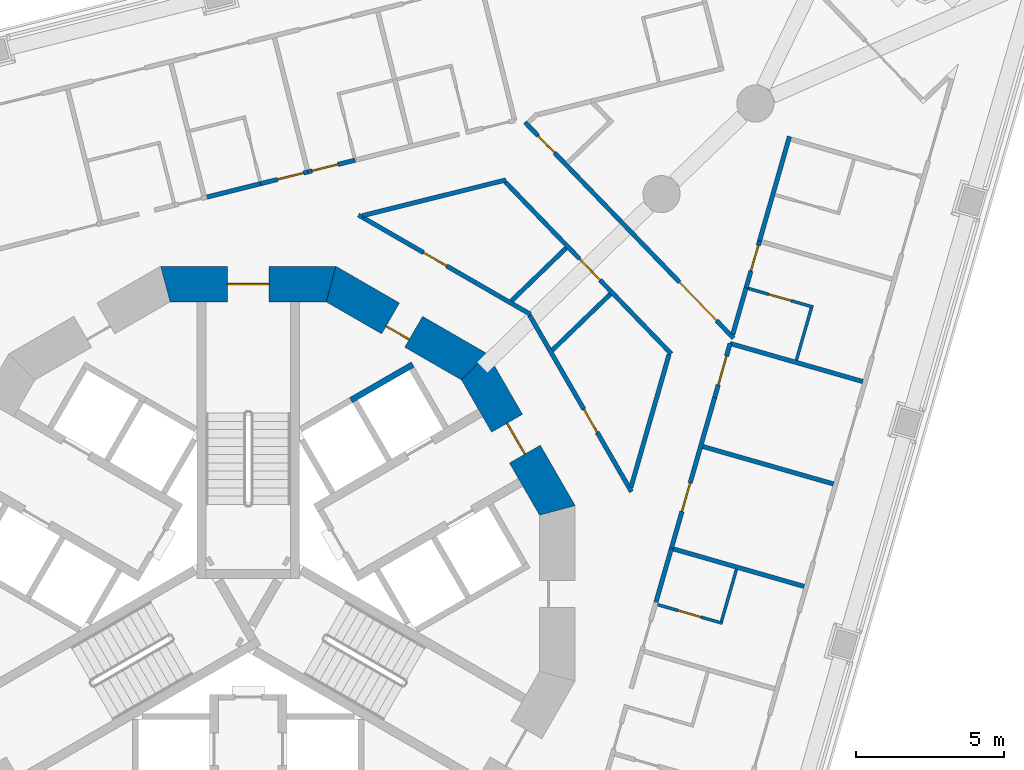
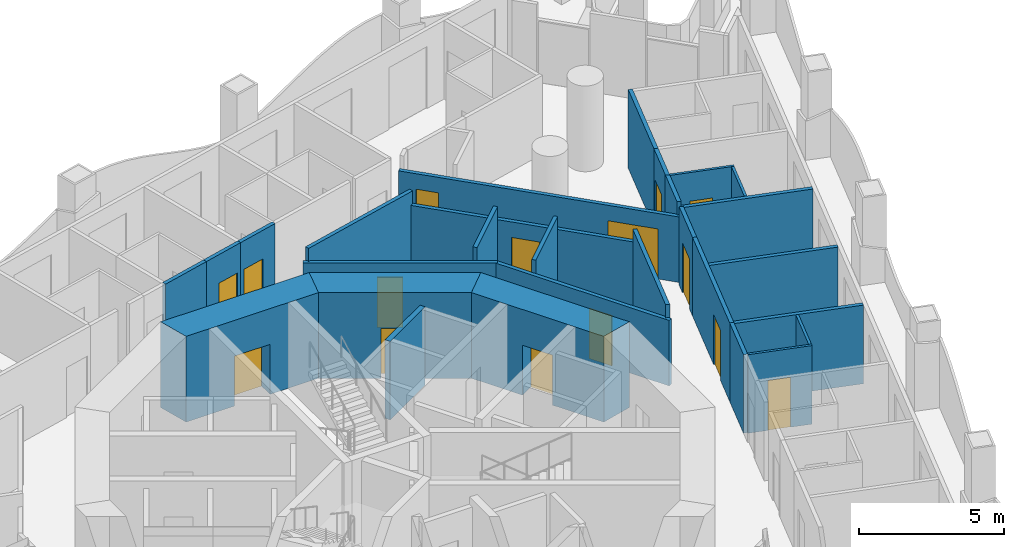
# One storey, part 9 of 19: 28 walls, 15 doors, 15 openings.
"""IFC4 building model written with IfcOpenShell, lengths in metres."""

from ifc_helpers import new_model, si_unit, direction, frame, frame_2d, origin, place, context, subcontext, project, spatial, polyline, rectangle, outline, extrude, material, layer, layer_set, type_object, element, fill, save


model = new_model("IFC4")

# Units and contexts
model_context = context("Model", 3, precision=1e-05, world=origin(), true_north=direction((0.0, 1.0)))
body_context = subcontext(model_context, "Body", "Model", "MODEL_VIEW")
ifc_project = project(units=[si_unit("LENGTHUNIT", "METRE"), si_unit("AREAUNIT", "SQUARE_METRE"), si_unit("VOLUMEUNIT", "CUBIC_METRE"), si_unit("PLANEANGLEUNIT", "RADIAN"), si_unit("MASSUNIT", "GRAM", prefix="KILO")], contexts=[model_context])

# Site, building, storey
site_placement = place(None, origin())
site = spatial("IfcSite", under=ifc_project, at=site_placement, CompositionType="ELEMENT")
building_placement = place(site_placement, origin())
building = spatial("IfcBuilding", under=site, at=building_placement, Name="Trine Commons Tower", CompositionType="ELEMENT")
storey_placement = place(building_placement, frame((0.0, 0.0, 105.300048828125)))
storey = spatial("IfcBuildingStorey", under=building, at=storey_placement, Name="L26", CompositionType="ELEMENT", Elevation=105.300048828125)

# Wall, opening, door
ifc_material_1 = material(Name="Concrete C70/85", Category="concrete")
ifc_layer_1 = layer(ifc_material_1, 1.199951171875)
ifc_layer_set_1 = layer_set([ifc_layer_1], Name="Concrete C70/85")
wall_type_1 = type_object("IfcWallType", Name="RC shear wall 1200 mm, C70/85", PredefinedType="SHEAR", material=ifc_layer_set_1)
wall_1_placement = place(storey_placement, frame((90.491943359375, 65.150390625, 0.0), z_axis=(0.0, 0.0, 1.0), x_axis=(-0.499979111662, 0.866037463336, 0.0)))
wall_1 = element("IfcWall", 1, at=wall_1_placement, inside=storey, type_object=wall_type_1, Name="Core wall CWC-02 L26", PredefinedType="SHEAR", context=body_context, shape_type="SweptSolid", body=[
    extrude(outline(polyline([(0.0, -0.60009765625), (5.901123046875, -0.60009765625), (5.57958984375, 0.60009765625), (0.321533203125, 0.60009765625), (0.0, -0.60009765625)])), origin(), (0.0, 0.0, 1.0), 3.599853515625),
])
opening_1_placement = place(wall_1_placement, frame((2.3505859375, 0.0, 0.0)))
opening_1 = element("IfcOpeningElement", 2, at=opening_1_placement, cuts=wall_1, Name="Opening K05.04", PredefinedType="OPENING", context=body_context, shape_type="SweptSolid", body=[
    extrude(rectangle(XDim=1.199951171875, YDim=2.10009765625, at=frame_2d((0.60009765625, 1.050048828125))), frame((0.0, 0.60986328125, 0.0), z_axis=(0.0, -1.0, 0.0), x_axis=(1.0, 0.0, 0.0)), (0.0, 0.0, 1.0), 1.219970703125),
])
ifc_material_2 = material(Name="Steel door leaves, fire-rated", Category="steel")
door_type_1 = type_object("IfcDoorType", Name="Lobby door, double leaf 1200 x 2100, FD60", OperationType="DOUBLE_DOOR_SINGLE_SWING", PredefinedType="DOOR", material=ifc_material_2)
door_1_placement = place(opening_1_placement, origin())
door_1 = element("IfcDoor", 3, at=door_1_placement, inside=storey, type_object=door_type_1, Name="Lobby door, Passenger lift lobby A L26", OperationType="DOUBLE_DOOR_SINGLE_SWING", OverallHeight=2.10009765625, OverallWidth=1.199951171875, PredefinedType="DOOR", context=body_context, shape_type="SweptSolid", body=[
    extrude(rectangle(XDim=1.199951171875, YDim=2.10009765625, at=frame_2d((0.60009765625, 1.050048828125))), frame((0.0, 0.02490234375, 0.0), z_axis=(0.0, -1.0, 0.0), x_axis=(1.0, 0.0, 0.0)), (0.0, 0.0, 1.0), 0.050048828125),
])
fill(opening_1, door_1)

wall_2_placement = place(storey_placement, frame((87.760986328125, 70.04150390625, 0.0), z_axis=(0.0, 0.0, 1.0), x_axis=(-0.866037463336, 0.499979111662, 0.0)))
wall_2 = element("IfcWall", 4, at=wall_2_placement, inside=storey, type_object=wall_type_1, Name="Core wall CWC-03 L26", PredefinedType="SHEAR", context=body_context, shape_type="SweptSolid", body=[
    extrude(outline(polyline([(0.0, -0.60009765625), (5.901123046875, -0.60009765625), (5.57958984375, 0.60009765625), (0.321533203125, 0.60009765625), (0.0, -0.60009765625)])), origin(), (0.0, 0.0, 1.0), 3.599853515625),
])
opening_2_placement = place(wall_2_placement, frame((2.526611328125, 0.0, 0.0)))
opening_2 = element("IfcOpeningElement", 5, at=opening_2_placement, cuts=wall_2, Name="Opening K05.11", PredefinedType="OPENING", context=body_context, shape_type="SweptSolid", body=[
    extrude(rectangle(XDim=0.89990234375, YDim=2.10009765625, at=frame_2d((0.449951171875, 1.050048828125))), frame((0.0, 0.60986328125, 0.0), z_axis=(0.0, -1.0, 0.0), x_axis=(1.0, 0.0, 0.0)), (0.0, 0.0, 1.0), 1.219970703125),
])
ifc_material_3 = material(Name="Steel door leaf, fire-rated", Category="steel")
door_type_2 = type_object("IfcDoorType", Name="Core room door, single leaf 900 x 2100, FD30S", OperationType="SINGLE_SWING_LEFT", PredefinedType="DOOR", material=ifc_material_3)
door_2_placement = place(opening_2_placement, origin())
door_2 = element("IfcDoor", 6, at=door_2_placement, inside=storey, type_object=door_type_2, Name="Door to Core WC L26", OperationType="SINGLE_SWING_RIGHT", OverallHeight=2.10009765625, OverallWidth=0.89990234375, PredefinedType="DOOR", context=body_context, shape_type="SweptSolid", body=[
    extrude(rectangle(XDim=0.89990234375, YDim=2.10009765625, at=frame_2d((0.449951171875, 1.050048828125))), frame((0.0, 0.3251953125, 0.0), z_axis=(0.0, -1.0, 0.0), x_axis=(1.0, 0.0, 0.0)), (0.0, 0.0, 1.0), 0.050048828125),
])
fill(opening_2, door_2)

wall_3_placement = place(storey_placement, frame((82.950439453125, 72.91162109375, 0.0), z_axis=(0.0, 0.0, 1.0), x_axis=(-1.0, 0.0, 0.0)))
wall_3 = element("IfcWall", 7, at=wall_3_placement, inside=storey, type_object=wall_type_1, Name="Core wall CWC-04 L26", PredefinedType="SHEAR", context=body_context, shape_type="SweptSolid", body=[
    extrude(outline(polyline([(0.0, -0.60009765625), (5.90087890625, -0.60009765625), (5.57958984375, 0.60009765625), (0.321533203125, 0.60009765625), (0.0, -0.60009765625)])), origin(), (0.0, 0.0, 1.0), 3.599853515625),
])
opening_3_placement = place(wall_3_placement, frame((2.25048828125, 0.0, 0.0)))
opening_3 = element("IfcOpeningElement", 8, at=opening_3_placement, cuts=wall_3, Name="Opening K05.01", PredefinedType="OPENING", context=body_context, shape_type="SweptSolid", body=[
    extrude(rectangle(XDim=1.39990234375, YDim=2.10009765625, at=frame_2d((0.699951171875, 1.050048828125))), frame((0.0, 0.60986328125, 0.0), z_axis=(0.0, -1.0, 0.0), x_axis=(1.0, 0.0, 0.0)), (0.0, 0.0, 1.0), 1.219970703125),
])
door_type_3 = type_object("IfcDoorType", Name="Stair door, double leaf 1400 x 2100, FD90", OperationType="DOUBLE_DOOR_SINGLE_SWING", PredefinedType="DOOR", material=ifc_material_2)
door_3_placement = place(opening_3_placement, origin())
door_3 = element("IfcDoor", 9, at=door_3_placement, inside=storey, type_object=door_type_3, Name="Stair door to Exit stair ST1A L26", OperationType="DOUBLE_DOOR_SINGLE_SWING", OverallHeight=2.10009765625, OverallWidth=1.39990234375, PredefinedType="DOOR", context=body_context, shape_type="SweptSolid", body=[
    extrude(rectangle(XDim=1.39990234375, YDim=2.10009765625, at=frame_2d((0.699951171875, 1.050048828125))), frame((0.0, 0.02490234375, 0.0), z_axis=(0.0, -1.0, 0.0), x_axis=(1.0, 0.0, 0.0)), (0.0, 0.0, 1.0), 0.050048828125),
])
fill(opening_3, door_3)

# Walls
ifc_material_4 = material(Name="Fire-rated gypsum shaft wall system")
ifc_layer_2 = layer(ifc_material_4, 0.199951171875)
ifc_layer_set_2 = layer_set([ifc_layer_2], Name="Fire-rated gypsum shaft wall system")
wall_type_2 = type_object("IfcWallType", Name="Shaft wall 200 mm, EI 120", PredefinedType="PARTITIONING", material=ifc_layer_set_2)
wall_4_placement = place(storey_placement, frame((83.4619140625, 69.001953125, 0.0), z_axis=(0.0, 0.0, 1.0), x_axis=(0.866202511239, 0.499693115345, 0.0)))
element("IfcWall", 10, at=wall_4_placement, inside=storey, type_object=wall_type_2, Name="Shaft wall L26", PredefinedType="PARTITIONING", context=body_context, shape_type="SweptSolid", body=[
    extrude(rectangle(XDim=2.4013671875, YDim=0.199951171875, at=frame_2d((1.20068359375, 0.0))), origin(), (0.0, 0.0, 1.0), 3.300048828125),
])
ifc_material_5 = material(Name="Gypsum plasterboard on steel stud", Category="steel")
ifc_layer_3 = layer(ifc_material_5, 0.14990234375)
ifc_layer_set_3 = layer_set([ifc_layer_3], Name="Gypsum plasterboard on steel stud")
wall_type_3 = type_object("IfcWallType", Name="Unit and corridor wall 150 mm, EI 60", PredefinedType="PARTITIONING", material=ifc_layer_set_3)
wall_5_placement = place(storey_placement, frame((78.52392578125, 75.820068359375, 0.0), z_axis=(0.0, 0.0, 1.0), x_axis=(0.970398654649, 0.241508697681, 0.0)))
element("IfcWall", 11, at=wall_5_placement, inside=storey, type_object=wall_type_3, Name="Partition 069", PredefinedType="PARTITIONING", context=body_context, shape_type="SweptSolid", body=[
    extrude(rectangle(XDim=1.9580078125, YDim=0.14990234375, at=frame_2d((0.97900390625, 0.0))), origin(), (0.0, 0.0, 1.0), 3.300048828125),
])

# Wall, opening, door
wall_6_placement = place(storey_placement, frame((80.416015625, 76.291015625, 0.0), z_axis=(0.0, 0.0, 1.0), x_axis=(0.970220928559, 0.242221695533, 0.0)))
wall_6 = element("IfcWall", 12, at=wall_6_placement, inside=storey, type_object=wall_type_3, Name="Partition 076", PredefinedType="PARTITIONING", context=body_context, shape_type="SweptSolid", body=[
    extrude(rectangle(XDim=1.64697265625, YDim=0.14990234375, at=frame_2d((0.823486328125, 0.0))), origin(), (0.0, 0.0, 1.0), 3.300048828125),
])
opening_4_placement = place(wall_6_placement, frame((0.593017578125, 0.0, 0.0)))
opening_4 = element("IfcOpeningElement", 13, at=opening_4_placement, cuts=wall_6, Name="Opening D-3B12", PredefinedType="OPENING", context=body_context, shape_type="SweptSolid", body=[
    extrude(rectangle(XDim=0.89990234375, YDim=2.10009765625, at=frame_2d((0.449951171875, 1.050048828125))), frame((0.0, 0.0849609375, 0.0), z_axis=(0.0, -1.0, 0.0), x_axis=(1.0, 0.0, 0.0)), (0.0, 0.0, 1.0), 0.169921875),
])
ifc_material_6 = material(Name="Timber fire door set", Category="wood")
door_type_4 = type_object("IfcDoorType", Name="Bedroom door 900 x 2100, FD30S", OperationType="NOTDEFINED", PredefinedType="DOOR", material=ifc_material_6)
door_4_placement = place(opening_4_placement, origin())
door_4 = element("IfcDoor", 14, at=door_4_placement, inside=storey, type_object=door_type_4, Name="Door D-3B12", OperationType="SINGLE_SWING_RIGHT", OverallHeight=2.10009765625, OverallWidth=0.89990234375, PredefinedType="DOOR", context=body_context, shape_type="SweptSolid", body=[
    extrude(rectangle(XDim=0.89990234375, YDim=2.10009765625, at=frame_2d((0.449951171875, 1.050048828125))), frame((0.0, 0.02490234375, 0.0), z_axis=(0.0, -1.0, 0.0), x_axis=(1.0, 0.0, 0.0)), (0.0, 0.0, 1.0), 0.050048828125),
])
fill(opening_4, door_4)

wall_7_placement = place(storey_placement, frame((82.006103515625, 76.68798828125, 0.0), z_axis=(0.0, 0.0, 1.0), x_axis=(0.970325473096, 0.241802556359, 0.0)))
wall_7 = element("IfcWall", 15, at=wall_7_placement, inside=storey, type_object=wall_type_3, Name="Partition 080", PredefinedType="PARTITIONING", context=body_context, shape_type="SweptSolid", body=[
    extrude(rectangle(XDim=1.645751953125, YDim=0.14990234375, at=frame_2d((0.82275390625, 0.0))), origin(), (0.0, 0.0, 1.0), 3.300048828125),
])
opening_5_placement = place(wall_7_placement, frame((0.154052734375, 0.0, 0.0)))
opening_5 = element("IfcOpeningElement", 16, at=opening_5_placement, cuts=wall_7, Name="Opening D-3B13", PredefinedType="OPENING", context=body_context, shape_type="SweptSolid", body=[
    extrude(rectangle(XDim=0.89990234375, YDim=2.10009765625, at=frame_2d((0.449951171875, 1.050048828125))), frame((0.0, 0.0849609375, 0.0), z_axis=(0.0, -1.0, 0.0), x_axis=(1.0, 0.0, 0.0)), (0.0, 0.0, 1.0), 0.169921875),
])
door_5_placement = place(opening_5_placement, origin())
door_5 = element("IfcDoor", 17, at=door_5_placement, inside=storey, type_object=door_type_4, Name="Door D-3B13", OperationType="SINGLE_SWING_LEFT", OverallHeight=2.10009765625, OverallWidth=0.89990234375, PredefinedType="DOOR", context=body_context, shape_type="SweptSolid", body=[
    extrude(rectangle(XDim=0.89990234375, YDim=2.10009765625, at=frame_2d((0.449951171875, 1.050048828125))), frame((0.0, 0.02490234375, 0.0), z_axis=(0.0, -1.0, 0.0), x_axis=(1.0, 0.0, 0.0)), (0.0, 0.0, 1.0), 0.050048828125),
])
fill(opening_5, door_5)

wall_8_placement = place(storey_placement, frame((83.7119140625, 75.237548828125, 0.0), z_axis=(0.0, 0.0, 1.0), x_axis=(0.866033484359, -0.499986003774, 0.0)))
wall_8 = element("IfcWall", 18, at=wall_8_placement, inside=storey, type_object=wall_type_3, Name="Partition 085", PredefinedType="PARTITIONING", context=body_context, shape_type="SweptSolid", body=[
    extrude(rectangle(XDim=6.682373046875, YDim=0.14990234375, at=frame_2d((3.34130859375, 0.0))), origin(), (0.0, 0.0, 1.0), 2.75),
])
opening_6_placement = place(wall_8_placement, frame((2.53271484375, 0.0, 0.0)))
opening_6 = element("IfcOpeningElement", 19, at=opening_6_placement, cuts=wall_8, Name="Opening D-3B38", PredefinedType="OPENING", context=body_context, shape_type="SweptSolid", body=[
    extrude(rectangle(XDim=0.89990234375, YDim=2.10009765625, at=frame_2d((0.449951171875, 1.050048828125))), frame((0.0, 0.0849609375, 0.0), z_axis=(0.0, -1.0, 0.0), x_axis=(1.0, 0.0, 0.0)), (0.0, 0.0, 1.0), 0.169921875),
])
door_type_5 = type_object("IfcDoorType", Name="Service door 900 x 2100, FD30S", OperationType="NOTDEFINED", PredefinedType="DOOR", material=ifc_material_6)
door_6_placement = place(opening_6_placement, origin())
door_6 = element("IfcDoor", 20, at=door_6_placement, inside=storey, type_object=door_type_5, Name="Door D-3B38", OperationType="SINGLE_SWING_LEFT", OverallHeight=2.10009765625, OverallWidth=0.89990234375, PredefinedType="DOOR", context=body_context, shape_type="SweptSolid", body=[
    extrude(rectangle(XDim=0.89990234375, YDim=2.10009765625, at=frame_2d((0.449951171875, 1.050048828125))), frame((0.0, 0.02490234375, 0.0), z_axis=(0.0, -1.0, 0.0), x_axis=(1.0, 0.0, 0.0)), (0.0, 0.0, 1.0), 0.050048828125),
])
fill(opening_6, door_6)

# Wall
wall_9_placement = place(storey_placement, frame((83.852783203125, 75.216064453125, 0.0), z_axis=(0.0, 0.0, 1.0), x_axis=(0.970312588938, 0.241854253112, 0.0)))
element("IfcWall", 21, at=wall_9_placement, inside=storey, type_object=wall_type_3, Name="Partition 086", PredefinedType="PARTITIONING", context=body_context, shape_type="SweptSolid", body=[
    extrude(rectangle(XDim=4.974609375, YDim=0.14990234375, at=frame_2d((2.4873046875, 0.0))), origin(), (0.0, 0.0, 1.0), 3.300048828125),
])

# Wall, opening, door
wall_10_placement = place(storey_placement, frame((88.6591796875, 76.34716796875, 0.0), z_axis=(0.0, 0.0, 1.0), x_axis=(0.694672534157, -0.719326122345, 0.0)))
wall_10 = element("IfcWall", 22, at=wall_10_placement, inside=storey, type_object=wall_type_3, Name="Partition 101", PredefinedType="PARTITIONING", context=body_context, shape_type="SweptSolid", body=[
    extrude(rectangle(XDim=8.041015625, YDim=0.14990234375, at=frame_2d((4.0205078125, 0.0))), origin(), (0.0, 0.0, 1.0), 2.75),
])
opening_7_placement = place(wall_10_placement, frame((3.595458984375, 0.0, 0.0)))
opening_7 = element("IfcOpeningElement", 23, at=opening_7_placement, cuts=wall_10, Name="Opening D-3B42", PredefinedType="OPENING", context=body_context, shape_type="SweptSolid", body=[
    extrude(rectangle(XDim=1.0, YDim=2.10009765625, at=frame_2d((0.5, 1.050048828125))), frame((0.0, 0.0849609375, 0.0), z_axis=(0.0, -1.0, 0.0), x_axis=(1.0, 0.0, 0.0)), (0.0, 0.0, 1.0), 0.169921875),
])
ifc_material_7 = material(Name="Painted timber", Category="wood")
door_type_6 = type_object("IfcDoorType", Name="Toilet door 1000 x 2100, NOT RATED", OperationType="NOTDEFINED", PredefinedType="DOOR", material=ifc_material_7)
door_7_placement = place(opening_7_placement, frame((1.0, 0.0, 0.0), z_axis=(0.0, 0.0, 1.0), x_axis=(-1.0, 0.0, 0.0)))
door_7 = element("IfcDoor", 24, at=door_7_placement, inside=storey, type_object=door_type_6, Name="Door D-3B42", OperationType="SINGLE_SWING_LEFT", OverallHeight=2.10009765625, OverallWidth=1.0, PredefinedType="DOOR", context=body_context, shape_type="SweptSolid", body=[
    extrude(rectangle(XDim=1.0, YDim=2.10009765625, at=frame_2d((0.5, 1.050048828125))), frame((0.0, 0.02490234375, 0.0), z_axis=(0.0, -1.0, 0.0), x_axis=(1.0, 0.0, 0.0)), (0.0, 0.0, 1.0), 0.050048828125),
])
fill(opening_7, door_7)

# Wall
wall_11_placement = place(storey_placement, frame((88.864013671875, 72.34619140625, 0.0), z_axis=(0.0, 0.0, 1.0), x_axis=(0.719366900494, 0.694630306332, 0.0)))
element("IfcWall", 25, at=wall_11_placement, inside=storey, type_object=wall_type_3, Name="Partition 103", PredefinedType="PARTITIONING", context=body_context, shape_type="SweptSolid", body=[
    extrude(rectangle(XDim=2.55615234375, YDim=0.14990234375, at=frame_2d((1.278076171875, 0.0))), origin(), (0.0, 0.0, 1.0), 3.300048828125),
])

# Wall, openings, doors
wall_12_placement = place(storey_placement, frame((89.322998046875, 78.35791015625, 0.0), z_axis=(0.0, 0.0, 1.0), x_axis=(0.694707851552, -0.719292013713, 0.0)))
wall_12 = element("IfcWall", 26, at=wall_12_placement, inside=storey, type_object=wall_type_3, Name="Partition 107", PredefinedType="PARTITIONING", context=body_context, shape_type="SweptSolid", body=[
    extrude(rectangle(XDim=10.109619140625, YDim=0.14990234375, at=frame_2d((5.0546875, 0.0))), origin(), (0.0, 0.0, 1.0), 2.75),
])
opening_8_placement = place(wall_12_placement, frame((7.484130859375, 0.0, 0.0)))
opening_8 = element("IfcOpeningElement", 27, at=opening_8_placement, cuts=wall_12, Name="Opening D-3B01", PredefinedType="OPENING", context=body_context, shape_type="SweptSolid", body=[
    extrude(rectangle(XDim=1.800048828125, YDim=2.10009765625, at=frame_2d((0.89990234375, 1.050048828125))), frame((0.0, 0.0849609375, 0.0), z_axis=(0.0, -1.0, 0.0), x_axis=(1.0, 0.0, 0.0)), (0.0, 0.0, 1.0), 0.169921875),
])
opening_9_placement = place(wall_12_placement, frame((0.628662109375, 0.0, 0.0)))
opening_9 = element("IfcOpeningElement", 28, at=opening_9_placement, cuts=wall_12, Name="Opening D-3B04", PredefinedType="OPENING", context=body_context, shape_type="SweptSolid", body=[
    extrude(rectangle(XDim=0.800048828125, YDim=2.10009765625, at=frame_2d((0.39990234375, 1.050048828125))), frame((0.0, 0.0849609375, 0.0), z_axis=(0.0, -1.0, 0.0), x_axis=(1.0, 0.0, 0.0)), (0.0, 0.0, 1.0), 0.169921875),
])
door_type_7 = type_object("IfcDoorType", Name="Cluster entrance door 1800 x 2100, double leaf, FD30S", OperationType="DOUBLE_DOOR_DOUBLE_SWING", PredefinedType="DOOR", material=ifc_material_6)
door_8_placement = place(opening_8_placement, origin())
door_8 = element("IfcDoor", 29, at=door_8_placement, inside=storey, type_object=door_type_7, Name="Door D-3B01", OperationType="DOUBLE_DOOR_DOUBLE_SWING", OverallHeight=2.10009765625, OverallWidth=1.800048828125, PredefinedType="DOOR", context=body_context, shape_type="SweptSolid", body=[
    extrude(rectangle(XDim=1.800048828125, YDim=2.10009765625, at=frame_2d((0.89990234375, 1.050048828125))), frame((0.0, 0.02490234375, 0.0), z_axis=(0.0, -1.0, 0.0), x_axis=(1.0, 0.0, 0.0)), (0.0, 0.0, 1.0), 0.050048828125),
])
fill(opening_8, door_8)
door_type_8 = type_object("IfcDoorType", Name="Toilet door 800 x 2100, NOT RATED", OperationType="NOTDEFINED", PredefinedType="DOOR", material=ifc_material_7)
door_9_placement = place(opening_9_placement, origin())
door_9 = element("IfcDoor", 30, at=door_9_placement, inside=storey, type_object=door_type_8, Name="Door D-3B04", OperationType="SINGLE_SWING_LEFT", OverallHeight=2.10009765625, OverallWidth=0.800048828125, PredefinedType="DOOR", context=body_context, shape_type="SweptSolid", body=[
    extrude(rectangle(XDim=0.800048828125, YDim=2.10009765625, at=frame_2d((0.39990234375, 1.050048828125))), frame((0.0, 0.02490234375, 0.0), z_axis=(0.0, -1.0, 0.0), x_axis=(1.0, 0.0, 0.0)), (0.0, 0.0, 1.0), 0.050048828125),
])
fill(opening_9, door_9)

# Wall, opening, door
wall_13_placement = place(storey_placement, frame((89.471435546875, 71.868896484375, 0.0), z_axis=(0.0, 0.0, 1.0), x_axis=(0.500000410344, -0.866025166872, 0.0)))
wall_13 = element("IfcWall", 31, at=wall_13_placement, inside=storey, type_object=wall_type_3, Name="Partition 109", PredefinedType="PARTITIONING", context=body_context, shape_type="SweptSolid", body=[
    extrude(rectangle(XDim=6.8681640625, YDim=0.14990234375, at=frame_2d((3.43408203125, 0.0))), origin(), (0.0, 0.0, 1.0), 2.75),
])
opening_10_placement = place(wall_13_placement, frame((3.65869140625, 0.0, 0.0)))
opening_10 = element("IfcOpeningElement", 32, at=opening_10_placement, cuts=wall_13, Name="Opening D-3B39", PredefinedType="OPENING", context=body_context, shape_type="SweptSolid", body=[
    extrude(rectangle(XDim=0.89990234375, YDim=2.10009765625, at=frame_2d((0.449951171875, 1.050048828125))), frame((0.0, 0.0849609375, 0.0), z_axis=(0.0, -1.0, 0.0), x_axis=(1.0, 0.0, 0.0)), (0.0, 0.0, 1.0), 0.169921875),
])
door_10_placement = place(opening_10_placement, origin())
door_10 = element("IfcDoor", 33, at=door_10_placement, inside=storey, type_object=door_type_5, Name="Door D-3B39", OperationType="SINGLE_SWING_RIGHT", OverallHeight=2.10009765625, OverallWidth=0.89990234375, PredefinedType="DOOR", context=body_context, shape_type="SweptSolid", body=[
    extrude(rectangle(XDim=0.89990234375, YDim=2.10009765625, at=frame_2d((0.449951171875, 1.050048828125))), frame((0.0, 0.02490234375, 0.0), z_axis=(0.0, -1.0, 0.0), x_axis=(1.0, 0.0, 0.0)), (0.0, 0.0, 1.0), 0.050048828125),
])
fill(opening_10, door_10)

# Walls
wall_14_placement = place(storey_placement, frame((90.239013671875, 70.68408203125, 0.0), z_axis=(0.0, 0.0, 1.0), x_axis=(0.719152656364, 0.694852111492, 0.0)))
element("IfcWall", 34, at=wall_14_placement, inside=storey, type_object=wall_type_3, Name="Partition 112", PredefinedType="PARTITIONING", context=body_context, shape_type="SweptSolid", body=[
    extrude(rectangle(XDim=2.72265625, YDim=0.14990234375, at=frame_2d((1.361328125, 0.0))), origin(), (0.0, 0.0, 1.0), 3.300048828125),
])
wall_15_placement = place(storey_placement, frame((92.88671875, 66.06103515625, 0.0), z_axis=(0.0, 0.0, 1.0), x_axis=(0.275619666794, 0.961266768008, 0.0)))
element("IfcWall", 35, at=wall_15_placement, inside=storey, type_object=wall_type_3, Name="Partition 126", PredefinedType="PARTITIONING", context=body_context, shape_type="SweptSolid", body=[
    extrude(rectangle(XDim=4.66455078125, YDim=0.14990234375, at=frame_2d((2.332275390625, 0.0))), origin(), (0.0, 0.0, 1.0), 3.300048828125),
])
wall_16_placement = place(storey_placement, frame((93.7119140625, 62.134033203125, 0.0), z_axis=(0.0, 0.0, 1.0), x_axis=(0.275675684966, 0.961250704405, 0.0)))
element("IfcWall", 36, at=wall_16_placement, inside=storey, type_object=wall_type_3, Name="Partition 132", PredefinedType="PARTITIONING", context=body_context, shape_type="SweptSolid", body=[
    extrude(rectangle(XDim=1.958984375, YDim=0.14990234375, at=frame_2d((0.9794921875, 0.0))), origin(), (0.0, 0.0, 1.0), 3.300048828125),
])

# Wall, opening, door
wall_17_placement = place(storey_placement, frame((94.228271484375, 63.93701171875, 0.0), z_axis=(0.0, 0.0, 1.0), x_axis=(0.275737098009, 0.961233089725, 0.0)))
wall_17 = element("IfcWall", 37, at=wall_17_placement, inside=storey, type_object=wall_type_3, Name="Partition 135", PredefinedType="PARTITIONING", context=body_context, shape_type="SweptSolid", body=[
    extrude(rectangle(XDim=5.363037109375, YDim=0.14990234375, at=frame_2d((2.681640625, 0.0))), origin(), (0.0, 0.0, 1.0), 3.300048828125),
])
opening_11_placement = place(wall_17_placement, frame((1.373046875, 0.0, 0.0)))
opening_11 = element("IfcOpeningElement", 38, at=opening_11_placement, cuts=wall_17, Name="Opening D-3B19", PredefinedType="OPENING", context=body_context, shape_type="SweptSolid", body=[
    extrude(rectangle(XDim=1.0, YDim=2.10009765625, at=frame_2d((0.5, 1.050048828125))), frame((0.0, 0.0849609375, 0.0), z_axis=(0.0, -1.0, 0.0), x_axis=(1.0, 0.0, 0.0)), (0.0, 0.0, 1.0), 0.169921875),
])
door_type_9 = type_object("IfcDoorType", Name="Amenity room door 1000 x 2100, NOT RATED", OperationType="NOTDEFINED", PredefinedType="DOOR", material=ifc_material_7)
door_11_placement = place(opening_11_placement, frame((1.0, 0.0, 0.0), z_axis=(0.0, 0.0, 1.0), x_axis=(-1.0, 0.0, 0.0)))
door_11 = element("IfcDoor", 39, at=door_11_placement, inside=storey, type_object=door_type_9, Name="Door D-3B19", OperationType="SINGLE_SWING_RIGHT", OverallHeight=2.10009765625, OverallWidth=1.0, PredefinedType="DOOR", context=body_context, shape_type="SweptSolid", body=[
    extrude(rectangle(XDim=1.0, YDim=2.10009765625, at=frame_2d((0.5, 1.050048828125))), frame((0.0, 0.02490234375, 0.0), z_axis=(0.0, -1.0, 0.0), x_axis=(1.0, 0.0, 0.0)), (0.0, 0.0, 1.0), 0.050048828125),
])
fill(opening_11, door_11)

# Walls
wall_18_placement = place(storey_placement, frame((94.322021484375, 63.9921875, 0.0), z_axis=(0.0, 0.0, 1.0), x_axis=(0.961269673231, -0.275609534171, 0.0)))
element("IfcWall", 40, at=wall_18_placement, inside=storey, type_object=wall_type_3, Name="Partition 136", PredefinedType="PARTITIONING", context=body_context, shape_type="SweptSolid", body=[
    extrude(rectangle(XDim=4.572509765625, YDim=0.14990234375, at=frame_2d((2.2861328125, 0.0))), origin(), (0.0, 0.0, 1.0), 3.300048828125),
])
wall_19_placement = place(storey_placement, frame((95.31103515625, 67.44140625, 0.0), z_axis=(0.0, 0.0, 1.0), x_axis=(0.961255526758, -0.275658869398, 0.0)))
element("IfcWall", 41, at=wall_19_placement, inside=storey, type_object=wall_type_3, Name="Partition 139", PredefinedType="PARTITIONING", context=body_context, shape_type="SweptSolid", body=[
    extrude(rectangle(XDim=4.57275390625, YDim=0.14990234375, at=frame_2d((2.286376953125, 0.0))), origin(), (0.0, 0.0, 1.0), 3.300048828125),
])

# Wall, opening, door
wall_20_placement = place(storey_placement, frame((95.70703125, 69.092041015625, 0.0), z_axis=(0.0, 0.0, 1.0), x_axis=(0.275265230362, 0.961368323253, 0.0)))
wall_20 = element("IfcWall", 42, at=wall_20_placement, inside=storey, type_object=wall_type_3, Name="Partition 142", PredefinedType="PARTITIONING", context=body_context, shape_type="SweptSolid", body=[
    extrude(rectangle(XDim=1.896240234375, YDim=0.14990234375, at=frame_2d((0.9482421875, 0.0))), origin(), (0.0, 0.0, 1.0), 3.300048828125),
])
opening_12_placement = place(wall_20_placement, frame((0.446044921875, 0.0, 0.0)))
opening_12 = element("IfcOpeningElement", 43, at=opening_12_placement, cuts=wall_20, Name="Opening D-3B18", PredefinedType="OPENING", context=body_context, shape_type="SweptSolid", body=[
    extrude(rectangle(XDim=1.0, YDim=2.10009765625, at=frame_2d((0.5, 1.050048828125))), frame((0.0, 0.0849609375, 0.0), z_axis=(0.0, -1.0, 0.0), x_axis=(1.0, 0.0, 0.0)), (0.0, 0.0, 1.0), 0.169921875),
])
door_12_placement = place(opening_12_placement, frame((1.0, 0.0, 0.0), z_axis=(0.0, 0.0, 1.0), x_axis=(-1.0, 0.0, 0.0)))
door_12 = element("IfcDoor", 44, at=door_12_placement, inside=storey, type_object=door_type_9, Name="Door D-3B18", OperationType="SINGLE_SWING_RIGHT", OverallHeight=2.10009765625, OverallWidth=1.0, PredefinedType="DOOR", context=body_context, shape_type="SweptSolid", body=[
    extrude(rectangle(XDim=1.0, YDim=2.10009765625, at=frame_2d((0.5, 1.050048828125))), frame((0.0, 0.02490234375, 0.0), z_axis=(0.0, -1.0, 0.0), x_axis=(1.0, 0.0, 0.0)), (0.0, 0.0, 1.0), 0.050048828125),
])
fill(opening_12, door_12)

# Walls
wall_21_placement = place(storey_placement, frame((96.22802734375, 70.910888671875, 0.0), z_axis=(0.0, 0.0, 1.0), x_axis=(0.961263836782, -0.275629889699, 0.0)))
element("IfcWall", 45, at=wall_21_placement, inside=storey, type_object=wall_type_3, Name="Partition 144", PredefinedType="PARTITIONING", context=body_context, shape_type="SweptSolid", body=[
    extrude(rectangle(XDim=4.6474609375, YDim=0.14990234375, at=frame_2d((2.32373046875, 0.0))), origin(), (0.0, 0.0, 1.0), 3.300048828125),
])
wall_22_placement = place(storey_placement, frame((96.314697265625, 71.212158203125, 0.0), z_axis=(0.0, 0.0, 1.0), x_axis=(0.275540757527, 0.9612893898, 0.0)))
element("IfcWall", 46, at=wall_22_placement, inside=storey, type_object=wall_type_3, Name="Partition 145", PredefinedType="PARTITIONING", context=body_context, shape_type="SweptSolid", body=[
    extrude(rectangle(XDim=1.69140625, YDim=0.14990234375, at=frame_2d((0.845703125, 0.0))), origin(), (0.0, 0.0, 1.0), 3.300048828125),
])

# Wall, opening, door
wall_23_placement = place(storey_placement, frame((96.764892578125, 72.781982421875, 0.0), z_axis=(0.0, 0.0, 1.0), x_axis=(0.275428171862, 0.961321653842, 0.0)))
wall_23 = element("IfcWall", 47, at=wall_23_placement, inside=storey, type_object=wall_type_3, Name="Partition 146", PredefinedType="PARTITIONING", context=body_context, shape_type="SweptSolid", body=[
    extrude(rectangle(XDim=1.6416015625, YDim=0.14990234375, at=frame_2d((0.82080078125, 0.0))), origin(), (0.0, 0.0, 1.0), 3.300048828125),
])
opening_13_placement = place(wall_23_placement, frame((0.591552734375, 0.0, 0.0)))
opening_13 = element("IfcOpeningElement", 48, at=opening_13_placement, cuts=wall_23, Name="Opening D-3B17", PredefinedType="OPENING", context=body_context, shape_type="SweptSolid", body=[
    extrude(rectangle(XDim=0.89990234375, YDim=2.10009765625, at=frame_2d((0.449951171875, 1.050048828125))), frame((0.0, 0.0849609375, 0.0), z_axis=(0.0, -1.0, 0.0), x_axis=(1.0, 0.0, 0.0)), (0.0, 0.0, 1.0), 0.169921875),
])
door_13_placement = place(opening_13_placement, frame((0.89990234375, 0.0, 0.0), z_axis=(0.0, 0.0, 1.0), x_axis=(-1.0, 0.0, 0.0)))
door_13 = element("IfcDoor", 49, at=door_13_placement, inside=storey, type_object=door_type_4, Name="Door D-3B17", OperationType="SINGLE_SWING_LEFT", OverallHeight=2.10009765625, OverallWidth=0.89990234375, PredefinedType="DOOR", context=body_context, shape_type="SweptSolid", body=[
    extrude(rectangle(XDim=0.89990234375, YDim=2.10009765625, at=frame_2d((0.449951171875, 1.050048828125))), frame((0.0, 0.02490234375, 0.0), z_axis=(0.0, -1.0, 0.0), x_axis=(1.0, 0.0, 0.0)), (0.0, 0.0, 1.0), 0.050048828125),
])
fill(opening_13, door_13)

# Wall
wall_24_placement = place(storey_placement, frame((97.217041015625, 74.360107421875, 0.0), z_axis=(0.0, 0.0, 1.0), x_axis=(0.275601093683, 0.961272093198, 0.0)))
element("IfcWall", 50, at=wall_24_placement, inside=storey, type_object=wall_type_3, Name="Partition 148", PredefinedType="PARTITIONING", context=body_context, shape_type="SweptSolid", body=[
    extrude(rectangle(XDim=3.663818359375, YDim=0.14990234375, at=frame_2d((1.83203125, 0.0))), origin(), (0.0, 0.0, 1.0), 3.300048828125),
])

# Wall, opening, door
ifc_layer_4 = layer(ifc_material_5, 0.10009765625)
ifc_layer_set_4 = layer_set([ifc_layer_4], Name="Gypsum plasterboard on steel stud")
wall_type_4 = type_object("IfcWallType", Name="Unit partition 100 mm, no rating", PredefinedType="PARTITIONING", material=ifc_layer_set_4)
wall_25_placement = place(storey_placement, frame((93.78515625, 62.1171875, 0.0), z_axis=(0.0, 0.0, 1.0), x_axis=(0.961247989745, -0.27568515051, 0.0)))
wall_25 = element("IfcWall", 51, at=wall_25_placement, inside=storey, type_object=wall_type_4, Name="Partition 133", PredefinedType="PARTITIONING", context=body_context, shape_type="SweptSolid", body=[
    extrude(rectangle(XDim=2.274169921875, YDim=0.10009765625, at=frame_2d((1.13720703125, 0.0))), origin(), (0.0, 0.0, 1.0), 3.300048828125),
])
opening_14_placement = place(wall_25_placement, frame((0.7119140625, 0.0, 0.0)))
opening_14 = element("IfcOpeningElement", 52, at=opening_14_placement, cuts=wall_25, Name="Opening D-3B53", PredefinedType="OPENING", context=body_context, shape_type="SweptSolid", body=[
    extrude(rectangle(XDim=0.800048828125, YDim=2.10009765625, at=frame_2d((0.39990234375, 1.050048828125))), frame((0.0, 0.06005859375, 0.0), z_axis=(0.0, -1.0, 0.0), x_axis=(1.0, 0.0, 0.0)), (0.0, 0.0, 1.0), 0.1201171875),
])
door_type_10 = type_object("IfcDoorType", Name="Internal door 800 x 2100, NOT RATED", OperationType="NOTDEFINED", PredefinedType="DOOR", material=ifc_material_7)
door_14_placement = place(opening_14_placement, frame((0.800048828125, 0.0, 0.0), z_axis=(0.0, 0.0, 1.0), x_axis=(-1.0, 0.0, 0.0)))
door_14 = element("IfcDoor", 53, at=door_14_placement, inside=storey, type_object=door_type_10, Name="Door D-3B53", OperationType="SINGLE_SWING_RIGHT", OverallHeight=2.10009765625, OverallWidth=0.800048828125, PredefinedType="DOOR", context=body_context, shape_type="SweptSolid", body=[
    extrude(rectangle(XDim=0.800048828125, YDim=2.10009765625, at=frame_2d((0.39990234375, 1.050048828125))), frame((0.0, 0.02490234375, 0.0), z_axis=(0.0, -1.0, 0.0), x_axis=(1.0, 0.0, 0.0)), (0.0, 0.0, 1.0), 0.050048828125),
])
fill(opening_14, door_14)

# Wall
wall_26_placement = place(storey_placement, frame((95.936767578125, 61.552001953125, 0.0), z_axis=(0.0, 0.0, 1.0), x_axis=(0.275745372376, 0.96123071612, 0.0)))
element("IfcWall", 54, at=wall_26_placement, inside=storey, type_object=wall_type_4, Name="Partition 143", PredefinedType="PARTITIONING", context=body_context, shape_type="SweptSolid", body=[
    extrude(rectangle(XDim=1.82568359375, YDim=0.10009765625, at=frame_2d((0.912841796875, 0.0))), origin(), (0.0, 0.0, 1.0), 3.300048828125),
])

# Wall, opening, door
wall_27_placement = place(storey_placement, frame((96.838134765625, 72.765380859375, 0.0), z_axis=(0.0, 0.0, 1.0), x_axis=(0.961219536458, -0.275784340983, 0.0)))
wall_27 = element("IfcWall", 55, at=wall_27_placement, inside=storey, type_object=wall_type_4, Name="Partition 147", PredefinedType="PARTITIONING", context=body_context, shape_type="SweptSolid", body=[
    extrude(rectangle(XDim=2.274169921875, YDim=0.10009765625, at=frame_2d((1.13720703125, 0.0))), origin(), (0.0, 0.0, 1.0), 3.300048828125),
])
opening_15_placement = place(wall_27_placement, frame((0.7119140625, 0.0, 0.0)))
opening_15 = element("IfcOpeningElement", 56, at=opening_15_placement, cuts=wall_27, Name="Opening D-3B52", PredefinedType="OPENING", context=body_context, shape_type="SweptSolid", body=[
    extrude(rectangle(XDim=0.800048828125, YDim=2.10009765625, at=frame_2d((0.39990234375, 1.050048828125))), frame((0.0, 0.06005859375, 0.0), z_axis=(0.0, -1.0, 0.0), x_axis=(1.0, 0.0, 0.0)), (0.0, 0.0, 1.0), 0.1201171875),
])
door_15_placement = place(opening_15_placement, origin())
door_15 = element("IfcDoor", 57, at=door_15_placement, inside=storey, type_object=door_type_10, Name="Door D-3B52", OperationType="SINGLE_SWING_LEFT", OverallHeight=2.10009765625, OverallWidth=0.800048828125, PredefinedType="DOOR", context=body_context, shape_type="SweptSolid", body=[
    extrude(rectangle(XDim=0.800048828125, YDim=2.10009765625, at=frame_2d((0.39990234375, 1.050048828125))), frame((0.0, 0.02490234375, 0.0), z_axis=(0.0, -1.0, 0.0), x_axis=(1.0, 0.0, 0.0)), (0.0, 0.0, 1.0), 0.050048828125),
])
fill(opening_15, door_15)

# Wall
wall_28_placement = place(storey_placement, frame((98.459716796875, 70.34912109375, 0.0), z_axis=(0.0, 0.0, 1.0), x_axis=(0.275251026539, 0.96137239007, 0.0)))
element("IfcWall", 58, at=wall_28_placement, inside=storey, type_object=wall_type_4, Name="Partition 152", PredefinedType="PARTITIONING", context=body_context, shape_type="SweptSolid", body=[
    extrude(rectangle(XDim=1.825439453125, YDim=0.10009765625, at=frame_2d((0.91259765625, 0.0))), origin(), (0.0, 0.0, 1.0), 3.300048828125),
])

save(model, "model.ifc")
